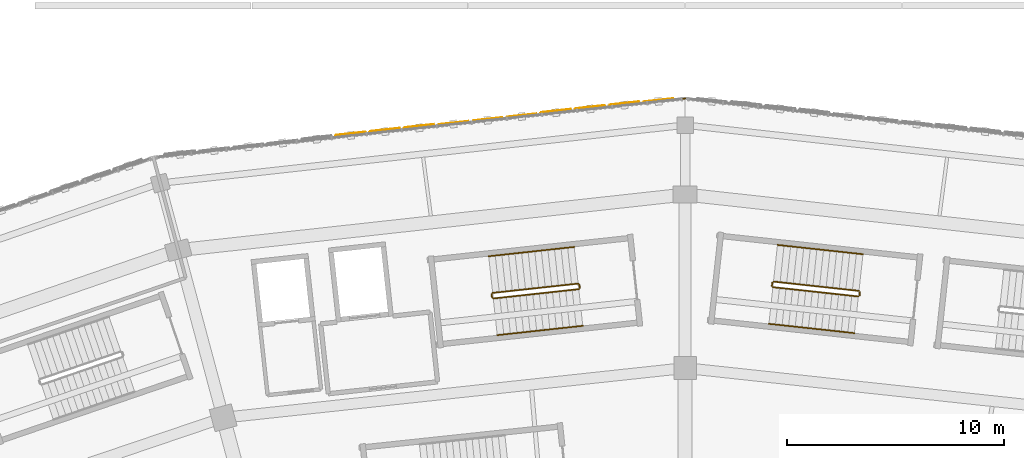
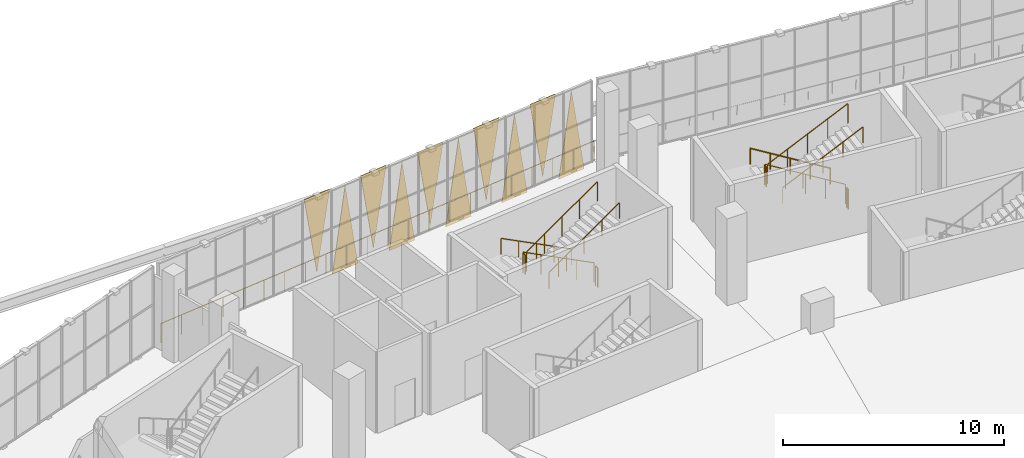
# One storey, part 170 of 183: 13 railings, 10 coverings.
"""IFC4 building model written with IfcOpenShell, lengths in metres."""

from ifc_helpers import new_model, si_unit, direction, frame, origin, origin_2d, place, context, subcontext, project, spatial, polyline, circle, outline, extrude, material, layer, layer_set, type_object, element, save


model = new_model("IFC4")

# Units and contexts
model_context = context("Model", 3, precision=1e-05, world=origin(), true_north=direction((0.0, 1.0)))
body_context = subcontext(model_context, "Body", "Model", "MODEL_VIEW")
ifc_project = project(units=[si_unit("LENGTHUNIT", "METRE"), si_unit("AREAUNIT", "SQUARE_METRE"), si_unit("VOLUMEUNIT", "CUBIC_METRE"), si_unit("PLANEANGLEUNIT", "RADIAN"), si_unit("MASSUNIT", "GRAM", prefix="KILO")], contexts=[model_context])

# Site, building, storey
site_placement = place(None, origin())
site = spatial("IfcSite", under=ifc_project, at=site_placement, CompositionType="ELEMENT")
building_placement = place(site_placement, origin())
building = spatial("IfcBuilding", under=site, at=building_placement, Name="Zevraka Park Crest Stadium", CompositionType="ELEMENT")
storey_placement = place(building_placement, frame((0.0, 0.0, 5.39990234375)))
storey = spatial("IfcBuildingStorey", under=building, at=storey_placement, Name="L01", CompositionType="ELEMENT", Elevation=5.39990234375)

# Coverings
ifc_material_1 = material(Name="Architectural golden-bronze perforated aluminium", Category="aluminium")
ifc_layer = layer(ifc_material_1, 0.034912109375)
ifc_layer_set = layer_set([ifc_layer], Name="Architectural golden-bronze perforated aluminium")
covering_type = type_object("IfcCoveringType", Name="CLD01", PredefinedType="CLADDING", material=ifc_layer_set)
covering_1_placement = place(storey_placement, frame((111.472900390625, 171.741943359375, -0.260009765625), z_axis=(-0.110111997559, 0.993919181698, 9.0813224e-05), x_axis=(-0.993919185796, -0.110111998013, 0.0)))
element("IfcCovering", 1, at=covering_1_placement, inside=storey, type_object=covering_type, Name="Triangular Golden-Bronze Perforated Cladding L01-06-1", PredefinedType="CLADDING", context=body_context, shape_type="SweptSolid", body=[
    extrude(outline(polyline([(0.0, 0.0), (1.4256613694050126, 1.6940658945086007e-21), (0.7123856968180892, 4.600097675218598), (0.0, 0.0)])), origin(), (0.0, 0.0, -1.0), 0.034912109375),
])
covering_2_placement = place(storey_placement, frame((108.47998046875, 171.409912109375, 4.5), z_axis=(0.110111997488, -0.993919181061, 9.760997e-05), x_axis=(0.993919185796, 0.110111998013, 0.0)))
element("IfcCovering", 2, at=covering_2_placement, inside=storey, type_object=covering_type, Name="Triangular Golden-Bronze Perforated Cladding L01-06-2", PredefinedType="CLADDING", context=body_context, shape_type="SweptSolid", body=[
    extrude(outline(polyline([(0.0, 0.0), (1.4256613694050126, -1.6940658945086007e-21), (0.7132756725869236, -4.279785176638269), (0.0, 0.0)])), origin(), (0.0, 0.0, -1.0), 0.034912109375),
])
covering_3_placement = place(storey_placement, frame((108.321044921875, 171.39208984375, -0.260009765625), z_axis=(0.110111997559, -0.993919181698, 9.0813224e-05), x_axis=(-0.993919185796, -0.110111998013, 0.0)))
element("IfcCovering", 3, at=covering_3_placement, inside=storey, type_object=covering_type, Name="Triangular Golden-Bronze Perforated Cladding L01-06-3", PredefinedType="CLADDING", context=body_context, shape_type="SweptSolid", body=[
    extrude(outline(polyline([(0.0, 0.0), (1.4256613694050126, 1.6940658945086007e-21), (0.7132756725869236, -4.600097675218598), (0.0, 0.0)])), origin(), (0.0, 0.0, -1.0), 0.034912109375),
])
covering_4_placement = place(storey_placement, frame((105.327880859375, 171.06103515625, 4.5), z_axis=(0.110093258591, -0.993921253684, 0.000126045065), x_axis=(0.99392126158, 0.110093259465, 0.0)))
element("IfcCovering", 4, at=covering_4_placement, inside=storey, type_object=covering_type, Name="Triangular Golden-Bronze Perforated Cladding L01-06-4", PredefinedType="CLADDING", context=body_context, shape_type="SweptSolid", body=[
    extrude(outline(polyline([(0.0, 0.0), (1.4259040257096456, 3.3881317890172014e-21), (0.7122781758668802, -4.2797851902472415), (0.0, 0.0)])), origin(), (0.0, 0.0, -1.0), 0.034912109375),
])
covering_5_placement = place(storey_placement, frame((105.1689453125, 171.04296875, -0.260009765625), z_axis=(-0.110111997763, 0.993919183536, 6.7437362e-05), x_axis=(-0.993919185796, -0.110111998013, 0.0)))
element("IfcCovering", 5, at=covering_5_placement, inside=storey, type_object=covering_type, Name="Triangular Golden-Bronze Perforated Cladding L01-06-5", PredefinedType="CLADDING", context=body_context, shape_type="SweptSolid", body=[
    extrude(outline(polyline([(0.0, 0.0), (1.4256613694050126, 1.6940658945086007e-21), (0.7133563210229682, 4.600097666710157), (0.0, 0.0)])), origin(), (0.0, 0.0, -1.0), 0.034912109375),
])
covering_6_placement = place(storey_placement, frame((102.176025390625, 170.7109375, 4.5), z_axis=(-0.110111996702, 0.993919173963, 0.000154308153), x_axis=(0.993919185796, 0.110111998013, 0.0)))
element("IfcCovering", 6, at=covering_6_placement, inside=storey, type_object=covering_type, Name="Triangular Golden-Bronze Perforated Cladding L01-06-6", PredefinedType="CLADDING", context=body_context, shape_type="SweptSolid", body=[
    extrude(outline(polyline([(0.0, 0.0), (1.4256613694050126, -3.3881317890172014e-21), (0.712412579630104, 4.279785207202997), (0.0, 0.0)])), origin(), (0.0, 0.0, -1.0), 0.034912109375),
])
covering_7_placement = place(storey_placement, frame((102.01708984375, 170.694091796875, -0.260009765625), z_axis=(-0.110111997218, 0.993919178618, 0.000120187557), x_axis=(-0.993919185796, -0.110111998013, 0.0)))
element("IfcCovering", 7, at=covering_7_placement, inside=storey, type_object=covering_type, Name="Triangular Golden-Bronze Perforated Cladding L01-06-7", PredefinedType="CLADDING", context=body_context, shape_type="SweptSolid", body=[
    extrude(outline(polyline([(0.0, 0.0), (1.4256613694050126, 0.0), (0.713383203834983, 4.600097689474318), (0.0, 0.0)])), origin(), (0.0, 0.0, -1.0), 0.034912109375),
])
covering_8_placement = place(storey_placement, frame((99.02294921875, 170.362060546875, 4.5), z_axis=(0.110037080729, -0.993927472592, 0.000141746645), x_axis=(0.993927482577, 0.110037081835, 0.0)))
element("IfcCovering", 8, at=covering_8_placement, inside=storey, type_object=covering_type, Name="Triangular Golden-Bronze Perforated Cladding L01-06-8", PredefinedType="CLADDING", context=body_context, shape_type="SweptSolid", body=[
    extrude(outline(polyline([(0.0, 0.0), (1.4266319976624326, 0.0), (0.7132488375263855, -4.2797851992449605), (0.0, 0.0)])), origin(), (0.0, 0.0, -1.0), 0.034912109375),
])
covering_9_placement = place(storey_placement, frame((98.864013671875, 170.343994140625, -0.260009765625), z_axis=(0.110111997218, -0.993919178618, 0.000120187557), x_axis=(-0.993919185796, -0.110111998013, 0.0)))
element("IfcCovering", 9, at=covering_9_placement, inside=storey, type_object=covering_type, Name="Triangular Golden-Bronze Perforated Cladding L01-06-9", PredefinedType="CLADDING", context=body_context, shape_type="SweptSolid", body=[
    extrude(outline(polyline([(0.0, 0.0), (1.4256613694050126, 0.0), (0.7122781655700297, -4.600097689474318), (0.0, 0.0)])), origin(), (0.0, 0.0, -1.0), 0.034912109375),
])
covering_10_placement = place(storey_placement, frame((95.87109375, 170.012939453125, 4.5), z_axis=(0.110111997488, -0.993919181061, 9.760997e-05), x_axis=(0.993919185796, 0.110111998013, 0.0)))
element("IfcCovering", 10, at=covering_10_placement, inside=storey, type_object=covering_type, Name="Triangular Golden-Bronze Perforated Cladding L01-06-10", PredefinedType="CLADDING", context=body_context, shape_type="SweptSolid", body=[
    extrude(outline(polyline([(0.0, 0.0), (1.4256613694050126, -1.6940658945086007e-21), (0.7132756725869236, -4.279785176638269), (0.0, 0.0)])), origin(), (0.0, 0.0, -1.0), 0.034912109375),
])

# Railings
ifc_material_2 = material(Name="Galvanised and bronze-finished steel balustrade", Category="steel")
railing_type_1 = type_object("IfcRailingType", Name="GR01", PredefinedType="GUARDRAIL", material=ifc_material_2)
railing_1_placement = place(storey_placement, frame((87.833984375, 169.052001953125, 0.0)))
element("IfcRailing", 11, at=railing_1_placement, inside=storey, type_object=railing_type_1, Name="Deck Edge Protection Guardrail GR01 L01-7", PredefinedType="GUARDRAIL", context=body_context, shape_type="SweptSolid", body=[
    extrude(circle(Radius=0.02392578125, at=origin_2d()), frame((0.0, 0.0, 1.076171875), z_axis=(0.993915897649, 0.110141674223, 0.0), x_axis=(-0.110141674223, 0.993915897649, 0.0)), (0.0, 0.0, 1.0), 24.31396484375),
    extrude(circle(Radius=0.02099609375, at=origin_2d()), origin(), (0.0, 0.0, 1.0), 1.052001953125),
    extrude(circle(Radius=0.02099609375, at=origin_2d()), frame((1.15087890625, 0.12744140625, 0.0)), (0.0, 0.0, 1.0), 1.052001953125),
    extrude(circle(Radius=0.02099609375, at=origin_2d()), frame((2.301513671875, 0.255126953125, 0.0)), (0.0, 0.0, 1.0), 1.052001953125),
    extrude(circle(Radius=0.02099609375, at=origin_2d()), frame((3.452392578125, 0.382568359375, 0.0)), (0.0, 0.0, 1.0), 1.052001953125),
    extrude(circle(Radius=0.02099609375, at=origin_2d()), frame((4.60302734375, 0.510009765625, 0.0)), (0.0, 0.0, 1.0), 1.052001953125),
    extrude(circle(Radius=0.02099609375, at=origin_2d()), frame((5.75390625, 0.6376953125, 0.0)), (0.0, 0.0, 1.0), 1.052001953125),
    extrude(circle(Radius=0.02099609375, at=origin_2d()), frame((6.904541015625, 0.76513671875, 0.0)), (0.0, 0.0, 1.0), 1.052001953125),
    extrude(circle(Radius=0.02099609375, at=origin_2d()), frame((8.055419921875, 0.892578125, 0.0)), (0.0, 0.0, 1.0), 1.052001953125),
    extrude(circle(Radius=0.02099609375, at=origin_2d()), frame((9.2060546875, 1.020263671875, 0.0)), (0.0, 0.0, 1.0), 1.052001953125),
    extrude(circle(Radius=0.02099609375, at=origin_2d()), frame((10.35693359375, 1.147705078125, 0.0)), (0.0, 0.0, 1.0), 1.052001953125),
    extrude(circle(Radius=0.02099609375, at=origin_2d()), frame((11.507568359375, 1.275146484375, 0.0)), (0.0, 0.0, 1.0), 1.052001953125),
    extrude(circle(Radius=0.02099609375, at=origin_2d()), frame((12.658447265625, 1.40283203125, 0.0)), (0.0, 0.0, 1.0), 1.052001953125),
    extrude(circle(Radius=0.02099609375, at=origin_2d()), frame((13.80908203125, 1.5302734375, 0.0)), (0.0, 0.0, 1.0), 1.052001953125),
    extrude(circle(Radius=0.02099609375, at=origin_2d()), frame((14.9599609375, 1.65771484375, 0.0)), (0.0, 0.0, 1.0), 1.052001953125),
    extrude(circle(Radius=0.02099609375, at=origin_2d()), frame((16.110595703125, 1.785400390625, 0.0)), (0.0, 0.0, 1.0), 1.052001953125),
    extrude(circle(Radius=0.02099609375, at=origin_2d()), frame((17.261474609375, 1.912841796875, 0.0)), (0.0, 0.0, 1.0), 1.052001953125),
    extrude(circle(Radius=0.02099609375, at=origin_2d()), frame((18.412109375, 2.040283203125, 0.0)), (0.0, 0.0, 1.0), 1.052001953125),
    extrude(circle(Radius=0.02099609375, at=origin_2d()), frame((19.56298828125, 2.16796875, 0.0)), (0.0, 0.0, 1.0), 1.052001953125),
    extrude(circle(Radius=0.02099609375, at=origin_2d()), frame((20.713623046875, 2.29541015625, 0.0)), (0.0, 0.0, 1.0), 1.052001953125),
    extrude(circle(Radius=0.02099609375, at=origin_2d()), frame((21.864501953125, 2.4228515625, 0.0)), (0.0, 0.0, 1.0), 1.052001953125),
    extrude(circle(Radius=0.02099609375, at=origin_2d()), frame((23.01513671875, 2.550537109375, 0.0)), (0.0, 0.0, 1.0), 1.052001953125),
    extrude(circle(Radius=0.02099609375, at=origin_2d()), frame((24.166015625, 2.677978515625, 0.0)), (0.0, 0.0, 1.0), 1.052001953125),
])
ifc_material_3 = material(Name="Powder-coated tubular steel stairwell guard", Category="steel")
railing_type_2 = type_object("IfcRailingType", Name="GR03", PredefinedType="GUARDRAIL", material=ifc_material_3)
railing_2_placement = place(storey_placement, frame((107.067138671875, 163.19384765625, 0.171630859375)))
element("IfcRailing", 12, at=railing_2_placement, inside=storey, type_object=railing_type_2, Name="L01 ST07 stair guard 1", PredefinedType="GUARDRAIL", context=body_context, shape_type="SweptSolid", body=[
    extrude(circle(Radius=0.02392578125, at=origin_2d()), frame((0.0, 0.0, 1.076171875), z_axis=(-0.866632504116, -0.094360209478, 0.489943112695), x_axis=(0.108241734952, -0.994124603264, 0.0)), (0.0, 0.0, 1.0), 4.548583984375),
    extrude(circle(Radius=0.02099609375, at=origin_2d()), origin(), (0.0, 0.0, 1.0), 1.052001953125),
    extrude(circle(Radius=0.02099609375, at=origin_2d()), frame((-0.9853515625, -0.107421875, 0.55712890625)), (0.0, 0.0, 1.0), 1.052001953125),
    extrude(circle(Radius=0.02099609375, at=origin_2d()), frame((-1.970947265625, -0.214599609375, 1.1142578125)), (0.0, 0.0, 1.0), 1.052001953125),
    extrude(circle(Radius=0.02099609375, at=origin_2d()), frame((-2.95654296875, -0.32177734375, 1.67138671875)), (0.0, 0.0, 1.0), 1.052001953125),
    extrude(circle(Radius=0.02099609375, at=origin_2d()), frame((-3.94189453125, -0.42919921875, 2.228515625)), (0.0, 0.0, 1.0), 1.052001953125),
])
railing_3_placement = place(storey_placement, frame((103.0810546875, 162.70947265625, 2.400146484375)))
element("IfcRailing", 13, at=railing_3_placement, inside=storey, type_object=railing_type_2, Name="L01 ST07 stair guard 2", PredefinedType="GUARDRAIL", context=body_context, shape_type="SweptSolid", body=[
    extrude(circle(Radius=0.02392578125, at=origin_2d()), frame((0.0, 0.0, 1.076171875), z_axis=(0.108420072245, -0.994105169454, 0.0), x_axis=(0.994105169454, 0.108420072245, 0.0)), (0.0, 0.0, 1.0), 0.159912109375),
    extrude(circle(Radius=0.02099609375, at=origin_2d()), origin(), (0.0, 0.0, 1.0), 1.052001953125),
    extrude(circle(Radius=0.02099609375, at=origin_2d()), frame((0.017333984375, -0.158935546875, 0.0)), (0.0, 0.0, 1.0), 1.052001953125),
])
railing_4_placement = place(storey_placement, frame((103.153564453125, 162.506103515625, 2.571533203125)))
element("IfcRailing", 14, at=railing_4_placement, inside=storey, type_object=railing_type_2, Name="L01 ST07 stair guard 3", PredefinedType="GUARDRAIL", context=body_context, shape_type="SweptSolid", body=[
    extrude(circle(Radius=0.02392578125, at=origin_2d()), frame((0.0, 0.0, 1.076171875), z_axis=(0.866619140956, 0.094364598935, 0.489965903911), x_axis=(-0.108248360745, 0.994123881816, 0.0)), (0.0, 0.0, 1.0), 4.54833984375),
    extrude(circle(Radius=0.02099609375, at=origin_2d()), origin(), (0.0, 0.0, 1.0), 1.052001953125),
    extrude(circle(Radius=0.02099609375, at=origin_2d()), frame((0.9853515625, 0.107421875, 0.55712890625)), (0.0, 0.0, 1.0), 1.052001953125),
    extrude(circle(Radius=0.02099609375, at=origin_2d()), frame((1.970703125, 0.214599609375, 1.1142578125)), (0.0, 0.0, 1.0), 1.052001953125),
    extrude(circle(Radius=0.02099609375, at=origin_2d()), frame((2.956298828125, 0.32177734375, 1.67138671875)), (0.0, 0.0, 1.0), 1.052001953125),
    extrude(circle(Radius=0.02099609375, at=origin_2d()), frame((3.941650390625, 0.42919921875, 2.228515625)), (0.0, 0.0, 1.0), 1.052001953125),
])
railing_5_placement = place(storey_placement, frame((107.1220703125, 163.1494140625, 0.0)))
element("IfcRailing", 15, at=railing_5_placement, inside=storey, type_object=railing_type_2, Name="L01 ST07 stair guard 4", PredefinedType="GUARDRAIL", context=body_context, shape_type="SweptSolid", body=[
    extrude(circle(Radius=0.02392578125, at=origin_2d()), frame((0.0, 0.0, 1.076171875), z_axis=(0.108420072245, -0.994105169454, 0.0), x_axis=(0.994105169454, 0.108420072245, 0.0)), (0.0, 0.0, 1.0), 0.159912109375),
    extrude(circle(Radius=0.02099609375, at=origin_2d()), origin(), (0.0, 0.0, 1.0), 1.052001953125),
    extrude(circle(Radius=0.02099609375, at=origin_2d()), frame((0.017333984375, -0.158935546875, 0.0)), (0.0, 0.0, 1.0), 1.052001953125),
])
railing_6_placement = place(storey_placement, frame((120.015380859375, 162.85791015625, 0.171630859375)))
element("IfcRailing", 16, at=railing_6_placement, inside=storey, type_object=railing_type_2, Name="L01 ST26 stair guard 1", PredefinedType="GUARDRAIL", context=body_context, shape_type="SweptSolid", body=[
    extrude(circle(Radius=0.02392578125, at=origin_2d()), frame((0.0, 0.0, 1.076171875), z_axis=(-0.866636892187, 0.094307012237, 0.489945593452), x_axis=(-0.108180884773, -0.994131226836, 0.0)), (0.0, 0.0, 1.0), 4.548583984375),
    extrude(circle(Radius=0.02099609375, at=origin_2d()), origin(), (0.0, 0.0, 1.0), 1.052001953125),
    extrude(circle(Radius=0.02099609375, at=origin_2d()), frame((-0.9853515625, 0.107177734375, 0.55712890625)), (0.0, 0.0, 1.0), 1.052001953125),
    extrude(circle(Radius=0.02099609375, at=origin_2d()), frame((-1.970947265625, 0.21435546875, 1.1142578125)), (0.0, 0.0, 1.0), 1.052001953125),
    extrude(circle(Radius=0.02099609375, at=origin_2d()), frame((-2.95654296875, 0.32177734375, 1.67138671875)), (0.0, 0.0, 1.0), 1.052001953125),
    extrude(circle(Radius=0.02099609375, at=origin_2d()), frame((-3.94189453125, 0.428955078125, 2.228515625)), (0.0, 0.0, 1.0), 1.052001953125),
])
railing_7_placement = place(storey_placement, frame((116.0185546875, 163.24267578125, 2.400146484375)))
element("IfcRailing", 17, at=railing_7_placement, inside=storey, type_object=railing_type_2, Name="L01 ST26 stair guard 2", PredefinedType="GUARDRAIL", context=body_context, shape_type="SweptSolid", body=[
    extrude(circle(Radius=0.02392578125, at=origin_2d()), frame((0.0, 0.0, 1.076171875), z_axis=(-0.108255734054, -0.994123078921, 0.0), x_axis=(0.994123078921, -0.108255734054, 0.0)), (0.0, 0.0, 1.0), 0.16015625),
    extrude(circle(Radius=0.02099609375, at=origin_2d()), origin(), (0.0, 0.0, 1.0), 1.052001953125),
    extrude(circle(Radius=0.02099609375, at=origin_2d()), frame((-0.017333984375, -0.1591796875, 0.0)), (0.0, 0.0, 1.0), 1.052001953125),
])
railing_8_placement = place(storey_placement, frame((116.04541015625, 163.0283203125, 2.571533203125)))
element("IfcRailing", 18, at=railing_8_placement, inside=storey, type_object=railing_type_2, Name="L01 ST26 stair guard 3", PredefinedType="GUARDRAIL", context=body_context, shape_type="SweptSolid", body=[
    extrude(circle(Radius=0.02392578125, at=origin_2d()), frame((0.0, 0.0, 1.076171875), z_axis=(0.866623529368, -0.094311399263, 0.489968385015), x_axis=(0.10818750693, 0.994130506193, 0.0)), (0.0, 0.0, 1.0), 4.54833984375),
    extrude(circle(Radius=0.02099609375, at=origin_2d()), origin(), (0.0, 0.0, 1.0), 1.052001953125),
    extrude(circle(Radius=0.02099609375, at=origin_2d()), frame((0.9853515625, -0.107177734375, 0.55712890625)), (0.0, 0.0, 1.0), 1.052001953125),
    extrude(circle(Radius=0.02099609375, at=origin_2d()), frame((1.970703125, -0.21435546875, 1.1142578125)), (0.0, 0.0, 1.0), 1.052001953125),
    extrude(circle(Radius=0.02099609375, at=origin_2d()), frame((2.956298828125, -0.32177734375, 1.67138671875)), (0.0, 0.0, 1.0), 1.052001953125),
    extrude(circle(Radius=0.02099609375, at=origin_2d()), frame((3.941650390625, -0.428955078125, 2.228515625)), (0.0, 0.0, 1.0), 1.052001953125),
])
railing_9_placement = place(storey_placement, frame((120.0595703125, 162.802734375, 0.0)))
element("IfcRailing", 19, at=railing_9_placement, inside=storey, type_object=railing_type_2, Name="L01 ST26 stair guard 4", PredefinedType="GUARDRAIL", context=body_context, shape_type="SweptSolid", body=[
    extrude(circle(Radius=0.02392578125, at=origin_2d()), frame((0.0, 0.0, 1.076171875), z_axis=(-0.108255734054, -0.994123078921, 0.0), x_axis=(0.994123078921, -0.108255734054, 0.0)), (0.0, 0.0, 1.0), 0.16015625),
    extrude(circle(Radius=0.02099609375, at=origin_2d()), origin(), (0.0, 0.0, 1.0), 1.052001953125),
    extrude(circle(Radius=0.02099609375, at=origin_2d()), frame((-0.017333984375, -0.1591796875, 0.0)), (0.0, 0.0, 1.0), 1.052001953125),
])
ifc_material_4 = material(Name="Brushed stainless steel continuous handrail", Category="steel")
railing_type_3 = type_object("IfcRailingType", Name="HR01", PredefinedType="HANDRAIL", material=ifc_material_4)
railing_10_placement = place(storey_placement, frame((106.883056640625, 164.8837890625, 0.171630859375)))
element("IfcRailing", 20, at=railing_10_placement, inside=storey, type_object=railing_type_3, Name="L01 ST07 stair handrail 1", PredefinedType="HANDRAIL", context=body_context, shape_type="SweptSolid", body=[
    extrude(circle(Radius=0.02392578125, at=origin_2d()), frame((0.0, 0.0, 0.8759765625), z_axis=(-0.866619140956, -0.094364598935, 0.489965903911), x_axis=(0.108248360745, -0.994123881816, 0.0)), (0.0, 0.0, 1.0), 4.54833984375),
    extrude(circle(Radius=0.02099609375, at=origin_2d()), origin(), (0.0, 0.0, 1.0), 0.851806640625),
    extrude(circle(Radius=0.02099609375, at=origin_2d()), frame((-0.9853515625, -0.107421875, 0.55712890625)), (0.0, 0.0, 1.0), 0.851806640625),
    extrude(circle(Radius=0.02099609375, at=origin_2d()), frame((-1.970703125, -0.214599609375, 1.1142578125)), (0.0, 0.0, 1.0), 0.851806640625),
    extrude(circle(Radius=0.02099609375, at=origin_2d()), frame((-2.956298828125, -0.32177734375, 1.67138671875)), (0.0, 0.0, 1.0), 0.851806640625),
    extrude(circle(Radius=0.02099609375, at=origin_2d()), frame((-3.941650390625, -0.42919921875, 2.228515625)), (0.0, 0.0, 1.0), 0.851806640625),
])
railing_11_placement = place(storey_placement, frame((103.33740234375, 160.816162109375, 2.571533203125)))
element("IfcRailing", 21, at=railing_11_placement, inside=storey, type_object=railing_type_3, Name="L01 ST07 stair handrail 2", PredefinedType="HANDRAIL", context=body_context, shape_type="SweptSolid", body=[
    extrude(circle(Radius=0.02392578125, at=origin_2d()), frame((0.0, 0.0, 0.8759765625), z_axis=(0.866619140956, 0.094364598935, 0.489965903911), x_axis=(-0.108248360745, 0.994123881816, 0.0)), (0.0, 0.0, 1.0), 4.54833984375),
    extrude(circle(Radius=0.02099609375, at=origin_2d()), origin(), (0.0, 0.0, 1.0), 0.851806640625),
    extrude(circle(Radius=0.02099609375, at=origin_2d()), frame((0.9853515625, 0.107421875, 0.55712890625)), (0.0, 0.0, 1.0), 0.851806640625),
    extrude(circle(Radius=0.02099609375, at=origin_2d()), frame((1.970703125, 0.214599609375, 1.1142578125)), (0.0, 0.0, 1.0), 0.851806640625),
    extrude(circle(Radius=0.02099609375, at=origin_2d()), frame((2.956298828125, 0.32177734375, 1.67138671875)), (0.0, 0.0, 1.0), 0.851806640625),
    extrude(circle(Radius=0.02099609375, at=origin_2d()), frame((3.941650390625, 0.42919921875, 2.228515625)), (0.0, 0.0, 1.0), 0.851806640625),
])
railing_12_placement = place(storey_placement, frame((120.19921875, 164.5478515625, 0.171630859375)))
element("IfcRailing", 22, at=railing_12_placement, inside=storey, type_object=railing_type_3, Name="L01 ST26 stair handrail 1", PredefinedType="HANDRAIL", context=body_context, shape_type="SweptSolid", body=[
    extrude(circle(Radius=0.02392578125, at=origin_2d()), frame((0.0, 0.0, 0.8759765625), z_axis=(-0.866623529368, 0.094311399263, 0.489968385015), x_axis=(-0.10818750693, -0.994130506193, 0.0)), (0.0, 0.0, 1.0), 4.54833984375),
    extrude(circle(Radius=0.02099609375, at=origin_2d()), origin(), (0.0, 0.0, 1.0), 0.851806640625),
    extrude(circle(Radius=0.02099609375, at=origin_2d()), frame((-0.9853515625, 0.107177734375, 0.55712890625)), (0.0, 0.0, 1.0), 0.851806640625),
    extrude(circle(Radius=0.02099609375, at=origin_2d()), frame((-1.970703125, 0.21435546875, 1.1142578125)), (0.0, 0.0, 1.0), 0.851806640625),
    extrude(circle(Radius=0.02099609375, at=origin_2d()), frame((-2.956298828125, 0.32177734375, 1.67138671875)), (0.0, 0.0, 1.0), 0.851806640625),
    extrude(circle(Radius=0.02099609375, at=origin_2d()), frame((-3.941650390625, 0.428955078125, 2.228515625)), (0.0, 0.0, 1.0), 0.851806640625),
])
railing_13_placement = place(storey_placement, frame((115.861572265625, 161.33837890625, 2.571533203125)))
element("IfcRailing", 23, at=railing_13_placement, inside=storey, type_object=railing_type_3, Name="L01 ST26 stair handrail 2", PredefinedType="HANDRAIL", context=body_context, shape_type="SweptSolid", body=[
    extrude(circle(Radius=0.02392578125, at=origin_2d()), frame((0.0, 0.0, 0.8759765625), z_axis=(0.866623529368, -0.094311399263, 0.489968385015), x_axis=(0.10818750693, 0.994130506193, 0.0)), (0.0, 0.0, 1.0), 4.54833984375),
    extrude(circle(Radius=0.02099609375, at=origin_2d()), origin(), (0.0, 0.0, 1.0), 0.851806640625),
    extrude(circle(Radius=0.02099609375, at=origin_2d()), frame((0.9853515625, -0.107177734375, 0.55712890625)), (0.0, 0.0, 1.0), 0.851806640625),
    extrude(circle(Radius=0.02099609375, at=origin_2d()), frame((1.970703125, -0.21435546875, 1.1142578125)), (0.0, 0.0, 1.0), 0.851806640625),
    extrude(circle(Radius=0.02099609375, at=origin_2d()), frame((2.956298828125, -0.32177734375, 1.67138671875)), (0.0, 0.0, 1.0), 0.851806640625),
    extrude(circle(Radius=0.02099609375, at=origin_2d()), frame((3.941650390625, -0.428955078125, 2.228515625)), (0.0, 0.0, 1.0), 0.851806640625),
])

save(model, "model.ifc")
